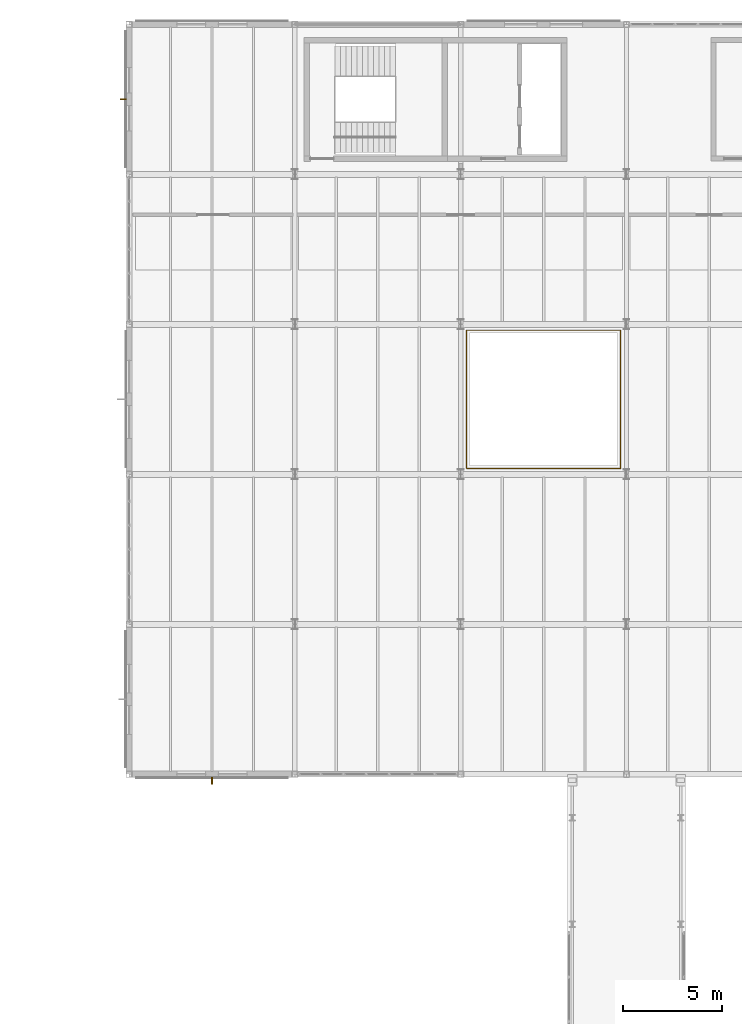
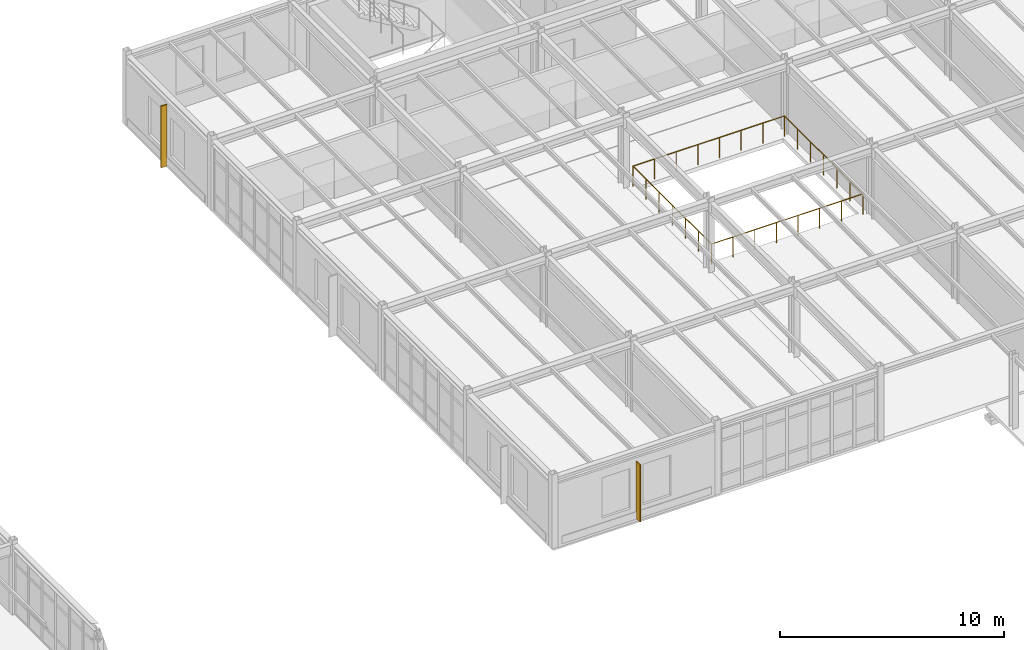
# One storey, part 159 of 165: 2 shading devices, 1 railing.
"""IFC4 building model written with IfcOpenShell, lengths in metres."""

from ifc_helpers import new_model, si_unit, direction, frame, origin, origin_2d, place, context, subcontext, project, spatial, rectangle, circle, extrude, material, type_object, element, save


model = new_model("IFC4")

# Units and contexts
model_context = context("Model", 3, precision=1e-05, world=origin(), true_north=direction((0.0, 1.0)))
body_context = subcontext(model_context, "Body", "Model", "MODEL_VIEW")
ifc_project = project(units=[si_unit("LENGTHUNIT", "METRE"), si_unit("AREAUNIT", "SQUARE_METRE"), si_unit("VOLUMEUNIT", "CUBIC_METRE"), si_unit("PLANEANGLEUNIT", "RADIAN"), si_unit("MASSUNIT", "GRAM", prefix="KILO")], contexts=[model_context])

# Site, building, storey
site_placement = place(None, origin())
site = spatial("IfcSite", under=ifc_project, at=site_placement, CompositionType="ELEMENT")
building_placement = place(site_placement, origin())
building = spatial("IfcBuilding", under=site, at=building_placement, Name="Montecoro Central Library", CompositionType="ELEMENT")
storey_placement = place(building_placement, frame((0.0, 0.0, 5.10009765625)))
storey = spatial("IfcBuildingStorey", under=building, at=storey_placement, Name="L01", CompositionType="ELEMENT", Elevation=5.10009765625)

# Railing
ifc_material_1 = material(Name="Brushed stainless steel and bronze balustrade", Category="steel")
railing_type = type_object("IfcRailingType", Name="GRD-INT-110", PredefinedType="GUARDRAIL", material=ifc_material_1)
railing_placement = place(storey_placement, frame((83.5, 96.5, 0.0)))
element("IfcRailing", 1, at=railing_placement, inside=storey, type_object=railing_type, Name="V2-L01-ATR-GRD", PredefinedType="GUARDRAIL", context=body_context, shape_type="SweptSolid", body=[
    extrude(circle(Radius=0.02392578125, at=origin_2d()), frame((0.0, 0.0, 1.09619140625), z_axis=(1.0, 0.0, 0.0), x_axis=(0.0, 1.0, 0.0)), (0.0, 0.0, 1.0), 7.800048828125),
    extrude(circle(Radius=0.02392578125, at=origin_2d()), frame((7.800048828125, 0.0, 1.09619140625), z_axis=(0.0, 1.0, 0.0), x_axis=(-1.0, 0.0, 0.0)), (0.0, 0.0, 1.0), 7.0),
    extrude(circle(Radius=0.02392578125, at=origin_2d()), frame((7.800048828125, 7.0, 1.09619140625), z_axis=(-1.0, 0.0, 0.0), x_axis=(0.0, -1.0, 0.0)), (0.0, 0.0, 1.0), 7.800048828125),
    extrude(circle(Radius=0.02392578125, at=origin_2d()), frame((0.0, 7.0, 1.09619140625), z_axis=(0.0, -1.0, 0.0), x_axis=(1.0, 0.0, 0.0)), (0.0, 0.0, 1.0), 7.0),
    extrude(circle(Radius=0.02099609375, at=origin_2d()), origin(), (0.0, 0.0, 1.0), 1.072021484375),
    extrude(circle(Radius=0.02099609375, at=origin_2d()), frame((1.1142578125, 0.0, 0.0)), (0.0, 0.0, 1.0), 1.072021484375),
    extrude(circle(Radius=0.02099609375, at=origin_2d()), frame((2.228515625, 0.0, 0.0)), (0.0, 0.0, 1.0), 1.072021484375),
    extrude(circle(Radius=0.02099609375, at=origin_2d()), frame((3.3427734375, 0.0, 0.0)), (0.0, 0.0, 1.0), 1.072021484375),
    extrude(circle(Radius=0.02099609375, at=origin_2d()), frame((4.457275390625, 0.0, 0.0)), (0.0, 0.0, 1.0), 1.072021484375),
    extrude(circle(Radius=0.02099609375, at=origin_2d()), frame((5.571533203125, 0.0, 0.0)), (0.0, 0.0, 1.0), 1.072021484375),
    extrude(circle(Radius=0.02099609375, at=origin_2d()), frame((6.685791015625, 0.0, 0.0)), (0.0, 0.0, 1.0), 1.072021484375),
    extrude(circle(Radius=0.02099609375, at=origin_2d()), frame((7.800048828125, 0.0, 0.0)), (0.0, 0.0, 1.0), 1.072021484375),
    extrude(circle(Radius=0.02099609375, at=origin_2d()), frame((7.800048828125, 1.166748046875, 0.0)), (0.0, 0.0, 1.0), 1.072021484375),
    extrude(circle(Radius=0.02099609375, at=origin_2d()), frame((7.800048828125, 2.333251953125, 0.0)), (0.0, 0.0, 1.0), 1.072021484375),
    extrude(circle(Radius=0.02099609375, at=origin_2d()), frame((7.800048828125, 3.5, 0.0)), (0.0, 0.0, 1.0), 1.072021484375),
    extrude(circle(Radius=0.02099609375, at=origin_2d()), frame((7.800048828125, 4.666748046875, 0.0)), (0.0, 0.0, 1.0), 1.072021484375),
    extrude(circle(Radius=0.02099609375, at=origin_2d()), frame((7.800048828125, 5.833251953125, 0.0)), (0.0, 0.0, 1.0), 1.072021484375),
    extrude(circle(Radius=0.02099609375, at=origin_2d()), frame((7.800048828125, 7.0, 0.0)), (0.0, 0.0, 1.0), 1.072021484375),
    extrude(circle(Radius=0.02099609375, at=origin_2d()), frame((6.685791015625, 7.0, 0.0)), (0.0, 0.0, 1.0), 1.072021484375),
    extrude(circle(Radius=0.02099609375, at=origin_2d()), frame((5.571533203125, 7.0, 0.0)), (0.0, 0.0, 1.0), 1.072021484375),
    extrude(circle(Radius=0.02099609375, at=origin_2d()), frame((4.457275390625, 7.0, 0.0)), (0.0, 0.0, 1.0), 1.072021484375),
    extrude(circle(Radius=0.02099609375, at=origin_2d()), frame((3.3427734375, 7.0, 0.0)), (0.0, 0.0, 1.0), 1.072021484375),
    extrude(circle(Radius=0.02099609375, at=origin_2d()), frame((2.228515625, 7.0, 0.0)), (0.0, 0.0, 1.0), 1.072021484375),
    extrude(circle(Radius=0.02099609375, at=origin_2d()), frame((1.1142578125, 7.0, 0.0)), (0.0, 0.0, 1.0), 1.072021484375),
    extrude(circle(Radius=0.02099609375, at=origin_2d()), frame((0.0, 7.0, 0.0)), (0.0, 0.0, 1.0), 1.072021484375),
    extrude(circle(Radius=0.02099609375, at=origin_2d()), frame((0.0, 5.833251953125, 0.0)), (0.0, 0.0, 1.0), 1.072021484375),
    extrude(circle(Radius=0.02099609375, at=origin_2d()), frame((0.0, 4.666748046875, 0.0)), (0.0, 0.0, 1.0), 1.072021484375),
    extrude(circle(Radius=0.02099609375, at=origin_2d()), frame((0.0, 3.5, 0.0)), (0.0, 0.0, 1.0), 1.072021484375),
    extrude(circle(Radius=0.02099609375, at=origin_2d()), frame((0.0, 2.333251953125, 0.0)), (0.0, 0.0, 1.0), 1.072021484375),
    extrude(circle(Radius=0.02099609375, at=origin_2d()), frame((0.0, 1.166748046875, 0.0)), (0.0, 0.0, 1.0), 1.072021484375),
])

# Shading devices
ifc_material_2 = material(Name="Architectural bronze solar fin", Category="aluminium")
shading_device_type_1 = type_object("IfcShadingDeviceType", Name="SHD-FIN-03", PredefinedType="USERDEFINED", material=ifc_material_2)
shading_device_1_placement = place(storey_placement, frame((70.60009765625, 80.6669921875, 0.18994140625), z_axis=(0.0, 0.0, 1.0), x_axis=(1.0, 0.0, 0.0)))
element("IfcShadingDevice", 2, at=shading_device_1_placement, inside=storey, type_object=shading_device_type_1, Name="V2-L01-FIN-S0", ObjectType="SOLAR FIN", PredefinedType="USERDEFINED", context=body_context, shape_type="SweptSolid", body=[
    extrude(rectangle(XDim=0.06005859375, YDim=0.360107421875, at=origin_2d()), origin(), (0.0, 0.0, 1.0), 3.10009765625),
])
shading_device_type_2 = type_object("IfcShadingDeviceType", Name="SHD-FIN-07", PredefinedType="USERDEFINED", material=ifc_material_2)
shading_device_2_placement = place(storey_placement, frame((66.096923828125, 115.199951171875, 0.06005859375), z_axis=(0.0, 0.0, 1.0), x_axis=(0.0, -1.0, 0.0)))
element("IfcShadingDevice", 3, at=shading_device_2_placement, inside=storey, type_object=shading_device_type_2, Name="V2-L01-FIN-W4", ObjectType="SOLAR FIN", PredefinedType="USERDEFINED", context=body_context, shape_type="SweptSolid", body=[
    extrude(rectangle(XDim=0.06005859375, YDim=0.300048828125, at=origin_2d()), origin(), (0.0, 0.0, 1.0), 3.360107421875),
])

save(model, "model.ifc")
